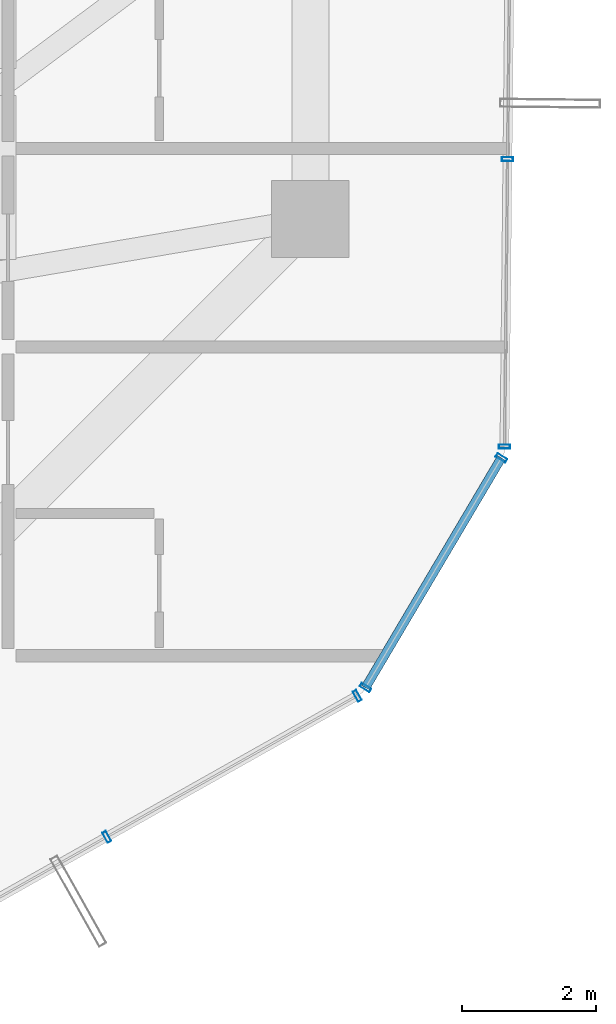
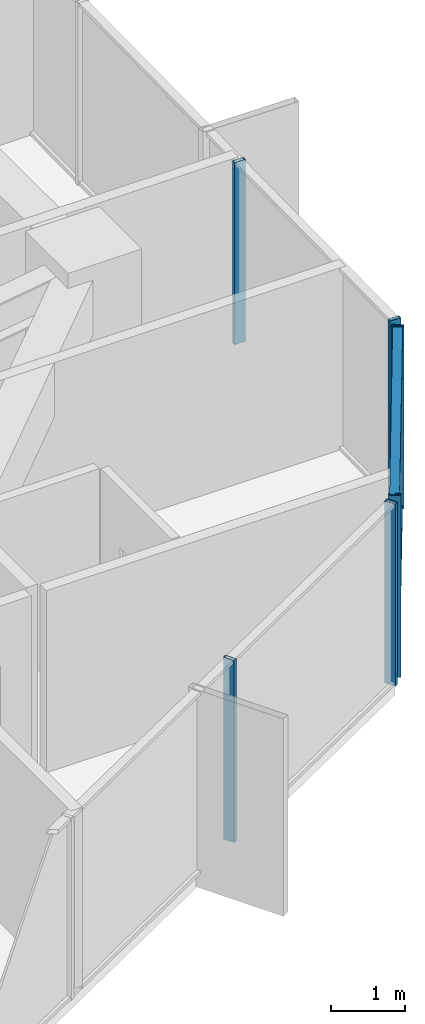
# One storey, part 13 of 30: 8 members, 3 elements without a shape of their own.
"""IFC4 building model written with IfcOpenShell, lengths in metres."""

from ifc_helpers import new_model, si_unit, direction, frame, origin, origin_2d, place, context, subcontext, project, spatial, hollow_rectangle, extrude, source, transform, mapped, material, layer, layer_set, material_profile, profile_set, type_object, element, aggregate, save


model = new_model("IFC4")

# Units and contexts
model_context = context("Model", 3, precision=1e-05, world=origin(), true_north=direction((0.0, 1.0)))
body_context = subcontext(model_context, "Body", "Model", "MODEL_VIEW")
ifc_project = project(units=[si_unit("LENGTHUNIT", "METRE"), si_unit("AREAUNIT", "SQUARE_METRE"), si_unit("VOLUMEUNIT", "CUBIC_METRE"), si_unit("PLANEANGLEUNIT", "RADIAN"), si_unit("MASSUNIT", "GRAM", prefix="KILO")], contexts=[model_context])

# Site, building, storey
site_placement = place(None, origin())
site = spatial("IfcSite", under=ifc_project, at=site_placement, CompositionType="ELEMENT")
building_placement = place(site_placement, origin())
building = spatial("IfcBuilding", under=site, at=building_placement, Name="Veraguas Prism Commons", CompositionType="ELEMENT")
storey_placement = place(building_placement, frame((0.0, 0.0, 126.25)))
storey = spatial("IfcBuildingStorey", under=building, at=storey_placement, Name="L35", CompositionType="ELEMENT", Elevation=126.25)

# Curtain wall, members
ifc_material = material(Name="Anodised aluminium EN AW-6063 T6", Category="aluminium")
ifc_layer = layer(ifc_material, 0.169921875, Name="Unitised Flush Curtain Wall Zone 2", Category="aluminium")
ifc_layer_set = layer_set([ifc_layer], Name="Anodised aluminium EN AW-6063 T6")
curtain_wall_type = type_object("IfcCurtainWallType", Name="Unitised Flush Curtain Wall Zone 2", PredefinedType="NOTDEFINED", material=ifc_layer_set)
curtain_wall_1_placement = place(storey_placement, origin())
curtain_wall_1 = element("IfcCurtainWall", 1, at=curtain_wall_1_placement, inside=storey, type_object=curtain_wall_type, Name="Tower Facade Curtain Wall L35-F5", PredefinedType="NOTDEFINED")
ifc_material_profile_1 = material_profile(ifc_material, hollow_rectangle(XDim=0.06005859375, YDim=0.169921875, WallThickness=0.00390625, at=origin_2d()), Name="AL60X170X4")
ifc_profile_set_1 = profile_set([ifc_material_profile_1], Name="Anodised aluminium EN AW-6063 T6")
member_type_1 = type_object("IfcMemberType", Name="Curtain Wall Mullion Lower AL 60x170x4", PredefinedType="MULLION", material=ifc_profile_set_1)
shared_shape_1 = source(origin(), body_context, "Body", "SweptSolid", [
    extrude(hollow_rectangle(XDim=0.06005859375, YDim=0.169921875, WallThickness=0.00390625, at=origin_2d()), origin(), (0.0, 0.0, 1.0), 3.0),
])
member_1_placement = place(storey_placement, frame((37.17041015625, 9.403076171875, 0.0), z_axis=(0.0, 0.0, 1.0), x_axis=(0.871214667908, 0.490902233059, 0.0)))
member_1 = element("IfcMember", 2, at=member_1_placement, type_object=member_type_1, Name="CW-Z2 Mullion 4", PredefinedType="MULLION", context=body_context, shape_type="MappedRepresentation", body=[
    mapped(shared_shape_1, transform((0.0, 0.0, 0.0), scale=1.0)),
])
member_2_placement = place(storey_placement, frame((40.89794921875, 11.50341796875, 0.0), z_axis=(0.0, 0.0, 1.0), x_axis=(0.871214667908, 0.490902233059, 0.0)))
member_2 = element("IfcMember", 3, at=member_2_placement, type_object=member_type_1, Name="CW-Z2 Mullion 5", PredefinedType="MULLION", context=body_context, shape_type="MappedRepresentation", body=[
    mapped(shared_shape_1, transform((0.0, 0.0, 0.0), scale=1.0)),
])
aggregate(curtain_wall_1, [member_1, member_2])

curtain_wall_2_placement = place(storey_placement, origin())
curtain_wall_2 = element("IfcCurtainWall", 4, at=curtain_wall_2_placement, inside=storey, type_object=curtain_wall_type, Name="Tower Facade Curtain Wall L35-F6", PredefinedType="NOTDEFINED")
member_3_placement = place(storey_placement, frame((43.09130859375, 15.21240234375, 0.0), z_axis=(0.0, 0.0, 1.0), x_axis=(0.01047876505, 0.999945096234, 0.0)))
member_3 = element("IfcMember", 5, at=member_3_placement, type_object=member_type_1, Name="CW-Z2 Mullion 1", PredefinedType="MULLION", context=body_context, shape_type="MappedRepresentation", body=[
    mapped(shared_shape_1, transform((0.0, 0.0, 0.0), scale=1.0)),
])
member_4_placement = place(storey_placement, frame((43.13623046875, 19.49072265625, 0.0), z_axis=(0.0, 0.0, 1.0), x_axis=(0.01047876505, 0.999945096234, 0.0)))
member_4 = element("IfcMember", 6, at=member_4_placement, type_object=member_type_1, Name="CW-Z2 Mullion 2", PredefinedType="MULLION", context=body_context, shape_type="MappedRepresentation", body=[
    mapped(shared_shape_1, transform((0.0, 0.0, 0.0), scale=1.0)),
])
aggregate(curtain_wall_2, [member_3, member_4])

curtain_wall_3_placement = place(storey_placement, origin())
curtain_wall_3 = element("IfcCurtainWall", 7, at=curtain_wall_3_placement, inside=storey, type_object=curtain_wall_type, Name="Chamfer Curtain Wall L35-C6", PredefinedType="NOTDEFINED")
member_5_placement = place(storey_placement, frame((41.022216796875, 11.625, 0.0), z_axis=(0.0, 0.0, 1.0), x_axis=(0.50904141575, 0.860742027004, 0.0)))
member_5 = element("IfcMember", 8, at=member_5_placement, type_object=member_type_1, Name="CW-Z2 Mullion 1", PredefinedType="MULLION", context=body_context, shape_type="MappedRepresentation", body=[
    mapped(shared_shape_1, transform((0.0, 0.0, 0.0), scale=1.0)),
])
member_6_placement = place(storey_placement, frame((43.044677734375, 15.044921875, 0.0), z_axis=(0.0, 0.0, 1.0), x_axis=(0.50904141575, 0.860742027004, 0.0)))
member_6 = element("IfcMember", 9, at=member_6_placement, type_object=member_type_1, Name="CW-Z2 Mullion 2", PredefinedType="MULLION", context=body_context, shape_type="MappedRepresentation", body=[
    mapped(shared_shape_1, transform((0.0, 0.0, 0.0), scale=1.0)),
])
ifc_material_profile_2 = material_profile(ifc_material, hollow_rectangle(XDim=0.054931640625, YDim=0.135009765625, WallThickness=0.0029296875, at=origin_2d()), Name="AL55X135X3")
ifc_profile_set_2 = profile_set([ifc_material_profile_2], Name="Anodised aluminium EN AW-6063 T6")
member_type_2 = type_object("IfcMemberType", Name="Curtain Wall Transom Standard AL 55x135x3", PredefinedType="USERDEFINED", material=ifc_profile_set_2)
shared_shape_2 = source(origin(), body_context, "Body", "SweptSolid", [
    extrude(hollow_rectangle(XDim=0.054931640625, YDim=0.135009765625, WallThickness=0.0029296875, at=origin_2d()), origin(), (0.0, 0.0, 1.0), 3.97314453125),
])
member_7_placement = place(storey_placement, frame((41.022216796875, 11.625, 0.027587890625), z_axis=(0.509027389232, 0.86075032211, 0.0), x_axis=(0.0, 0.0, 1.0)))
member_7 = element("IfcMember", 10, at=member_7_placement, type_object=member_type_2, Name="CW-Z2 Transom 1", ObjectType="TRANSOM", PredefinedType="USERDEFINED", context=body_context, shape_type="MappedRepresentation", body=[
    mapped(shared_shape_2, transform((0.0, 0.0, 0.0), scale=1.0)),
])
member_8_placement = place(storey_placement, frame((41.022216796875, 11.625, 2.972412109375), z_axis=(0.509027389232, 0.86075032211, 0.0), x_axis=(0.0, 0.0, 1.0)))
member_8 = element("IfcMember", 11, at=member_8_placement, type_object=member_type_2, Name="CW-Z2 Transom 2", ObjectType="TRANSOM", PredefinedType="USERDEFINED", context=body_context, shape_type="MappedRepresentation", body=[
    mapped(shared_shape_2, transform((0.0, 0.0, 0.0), scale=1.0)),
])
aggregate(curtain_wall_3, [member_5, member_6, member_7, member_8])

save(model, "model.ifc")
